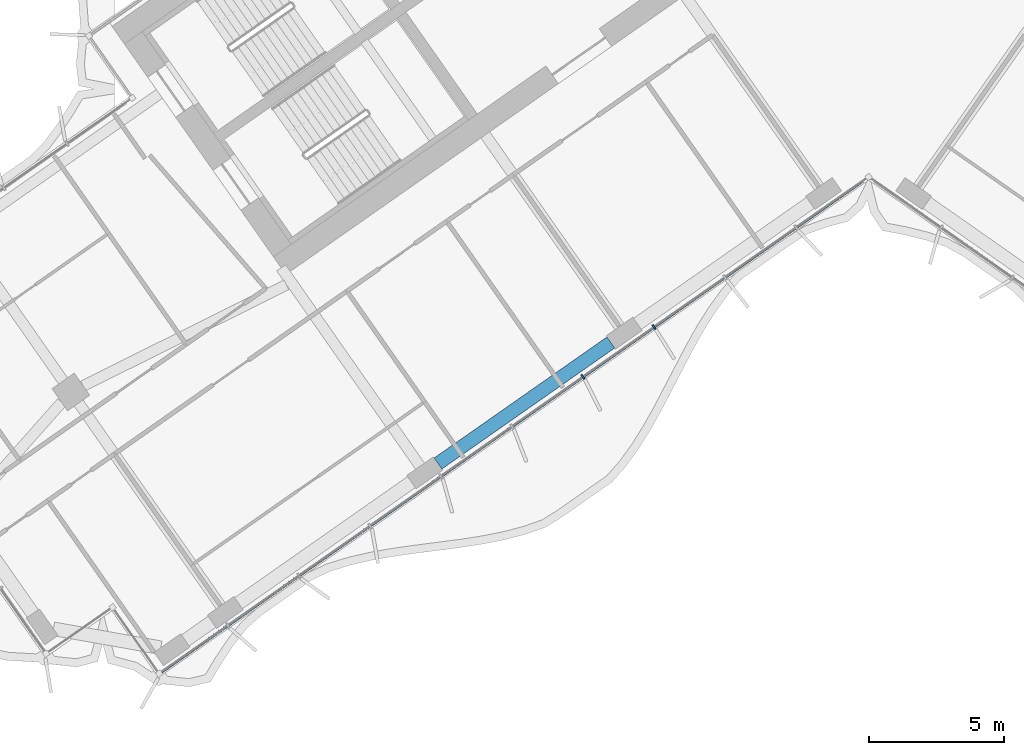
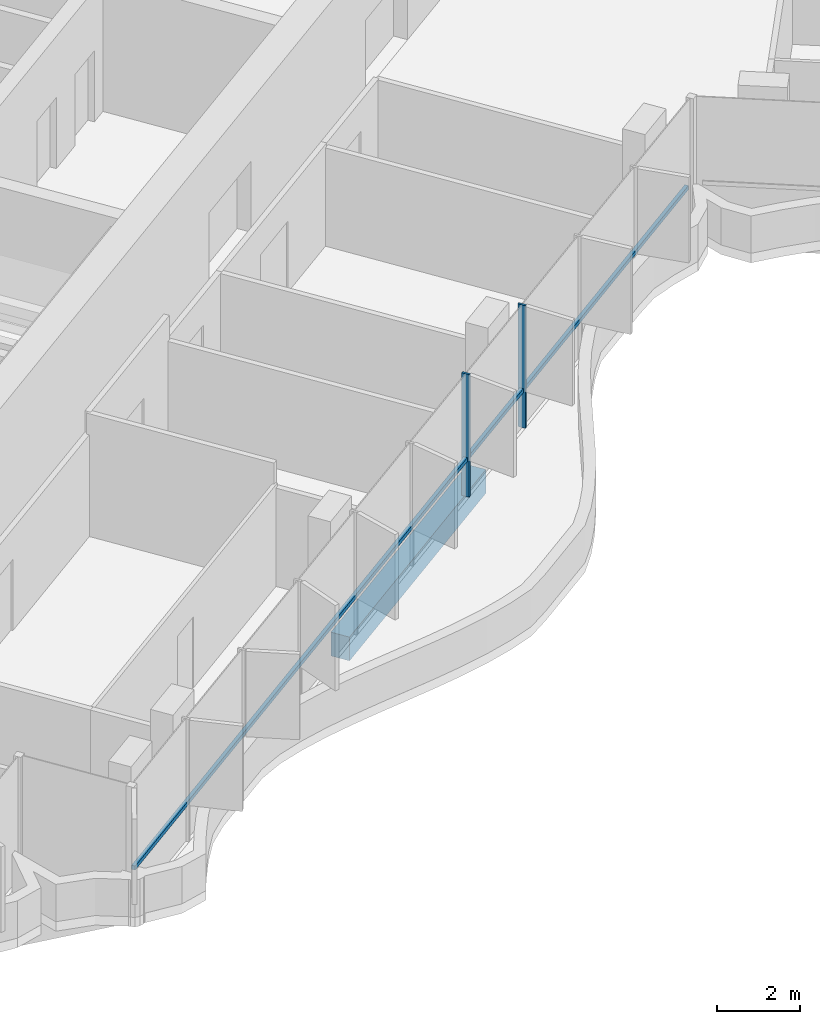
# One storey, part 3 of 23: 3 members, 1 beam, 1 element without a shape of its own.
"""IFC4 building model written with IfcOpenShell, lengths in metres."""

from ifc_helpers import new_model, si_unit, direction, frame, origin, origin_2d, place, context, subcontext, project, spatial, rectangle, extrude, material, material_profile, profile_set, type_object, element, aggregate, save


model = new_model("IFC4")

# Units and contexts
model_context = context("Model", 3, precision=1e-05, world=origin(), true_north=direction((0.0, 1.0)))
body_context = subcontext(model_context, "Body", "Model", "MODEL_VIEW")
ifc_project = project(units=[si_unit("LENGTHUNIT", "METRE"), si_unit("AREAUNIT", "SQUARE_METRE"), si_unit("VOLUMEUNIT", "CUBIC_METRE"), si_unit("PLANEANGLEUNIT", "RADIAN"), si_unit("MASSUNIT", "GRAM", prefix="KILO")], contexts=[model_context])

# Site, building, storey
site_placement = place(None, origin())
site = spatial("IfcSite", under=ifc_project, at=site_placement, CompositionType="ELEMENT")
building_placement = place(site_placement, origin())
building = spatial("IfcBuilding", under=site, at=building_placement, Name="Tel Ilan Convention Tower", CompositionType="ELEMENT")
storey_placement = place(building_placement, frame((0.0, 0.0, 182.699951171875)))
storey = spatial("IfcBuildingStorey", under=building, at=storey_placement, Name="L42", CompositionType="ELEMENT", Elevation=182.699951171875)

# Beam
ifc_material_1 = material(Name="Concrete C40/50", Category="concrete")
ifc_material_profile_1 = material_profile(ifc_material_1, rectangle(XDim=0.5, YDim=0.699951171875, at=origin_2d()), Name="RC 500x700")
ifc_profile_set_1 = profile_set([ifc_material_profile_1], Name="Concrete C40/50")
beam_type = type_object("IfcBeamType", Name="Beam RC 500x700 Concrete C40/50", PredefinedType="BEAM", material=ifc_profile_set_1)
beam_placement = place(storey_placement, frame((-9.529052734375, -18.819091796875, -0.6298828125), z_axis=(-0.819153977895, -0.573573674866, 0.0), x_axis=(0.573573674866, -0.819153977895, 0.0)))
element("IfcBeam", 1, at=beam_placement, inside=storey, type_object=beam_type, Name="L42 beam W-W-F2-W-F3", PredefinedType="BEAM", context=body_context, shape_type="SweptSolid", body=[
    extrude(rectangle(XDim=0.5, YDim=0.699951171875, at=origin_2d()), origin(), (0.0, 0.0, 1.0), 7.800048828125),
])

# Curtain wall, members
ifc_material_2 = material(Name="Aluminium, bronze anodised", Category="aluminium")
curtain_wall_type = type_object("IfcCurtainWallType", Name="CW4 STICK CURTAIN WALL, OFFICE TINTED GLASS", PredefinedType="NOTDEFINED", material=ifc_material_2)
curtain_wall_placement = place(storey_placement, origin())
curtain_wall = element("IfcCurtainWall", 2, at=curtain_wall_placement, inside=storey, type_object=curtain_wall_type, Name="Curtain wall CW4-32.02", PredefinedType="NOTDEFINED")
ifc_material_3 = material(Name="Aluminium, bronze anodised", Category="aluminium")
ifc_material_profile_2 = material_profile(ifc_material_3, rectangle(XDim=0.06005859375, YDim=0.199951171875, at=origin_2d()), Name="CW MULLION 60x200")
ifc_profile_set_2 = profile_set([ifc_material_profile_2], Name="Aluminium, bronze anodised")
member_type_1 = type_object("IfcMemberType", Name="CW MULLION 60x200", PredefinedType="MULLION", material=ifc_profile_set_2)
member_1_placement = place(storey_placement, frame((-10.55810546875, -20.0888671875, 0.0), z_axis=(0.0, 0.0, 1.0), x_axis=(0.819152044289, 0.573576436351, 0.0)))
member_1 = element("IfcMember", 3, at=member_1_placement, type_object=member_type_1, Name="Mullion", PredefinedType="MULLION", context=body_context, shape_type="SweptSolid", body=[
    extrude(rectangle(XDim=0.06005859375, YDim=0.199951171875, at=origin_2d()), origin(), (0.0, 0.0, 1.0), 3.6201171875),
])
member_2_placement = place(storey_placement, frame((-7.932861328125, -18.250732421875, 0.0), z_axis=(0.0, 0.0, 1.0), x_axis=(0.819152044289, 0.573576436351, 0.0)))
member_2 = element("IfcMember", 4, at=member_2_placement, type_object=member_type_1, Name="Mullion", PredefinedType="MULLION", context=body_context, shape_type="SweptSolid", body=[
    extrude(rectangle(XDim=0.06005859375, YDim=0.199951171875, at=origin_2d()), origin(), (0.0, 0.0, 1.0), 3.6201171875),
])
ifc_material_4 = material(Name="Aluminium, bronze anodised", Category="aluminium")
ifc_material_profile_3 = material_profile(ifc_material_4, rectangle(XDim=0.10009765625, YDim=0.1201171875, at=origin_2d()), Name="CW TRANSOM 100x120")
ifc_profile_set_3 = profile_set([ifc_material_profile_3], Name="Aluminium, bronze anodised")
member_type_2 = type_object("IfcMemberType", Name="CW TRANSOM 100x120", PredefinedType="USERDEFINED", material=ifc_profile_set_3)
member_3_placement = place(storey_placement, frame((-26.1455078125, -31.00341796875, 1.10009765625), z_axis=(0.819149281128, 0.573580382534, 0.0), x_axis=(-0.573580382534, 0.819149281128, 0.0)))
member_3 = element("IfcMember", 5, at=member_3_placement, type_object=member_type_2, Name="Transom", ObjectType="TRANSOM", PredefinedType="USERDEFINED", context=body_context, shape_type="SweptSolid", body=[
    extrude(rectangle(XDim=0.10009765625, YDim=0.1201171875, at=origin_2d()), origin(), (0.0, 0.0, 1.0), 31.64794921875),
])
aggregate(curtain_wall, [member_1, member_2, member_3])

save(model, "model.ifc")
